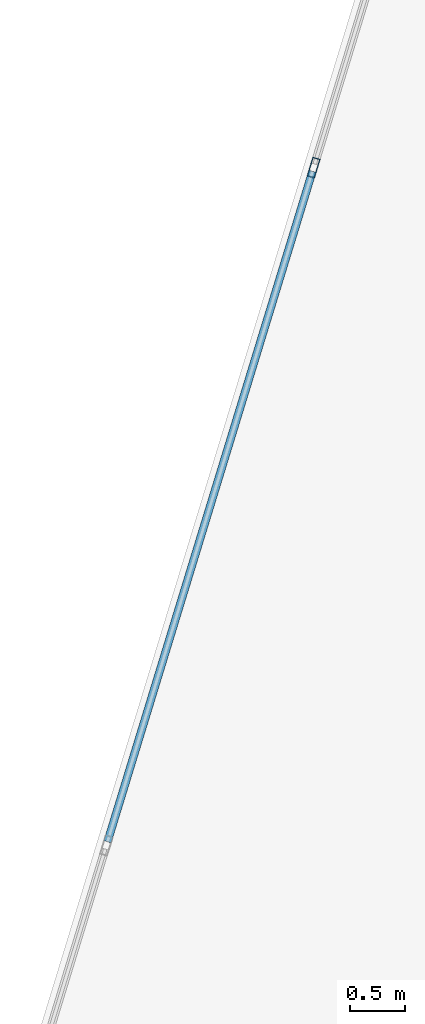
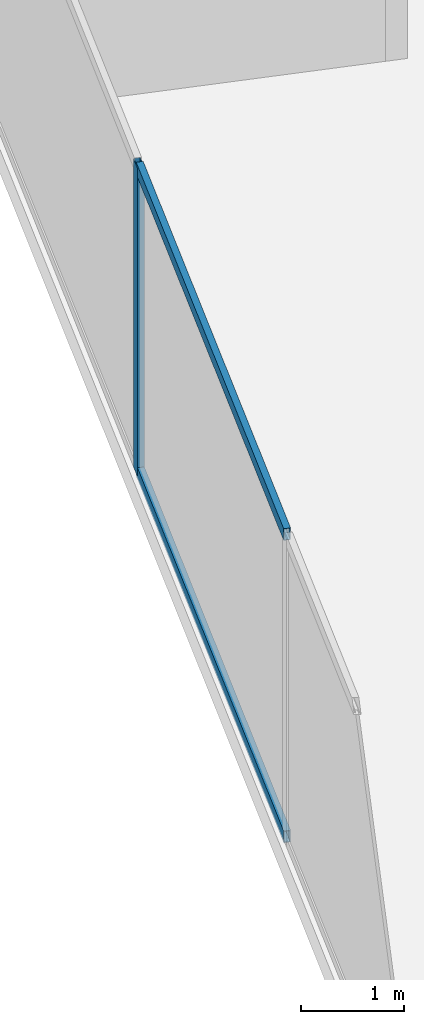
# One storey, part 14 of 26: 3 members, 1 element without a shape of its own.
"""IFC4 building model written with IfcOpenShell, lengths in metres."""

import ifcopenshell
import ifcopenshell.guid

model = None  # the IFC model being written
_history = None  # IfcOwnerHistory: only IFC2X3 demands one
_inside = {}  # id of a spatial element -> (the spatial element, [elements in it])
_under = {}  # id of a project, library or spatial element -> (it, [spatial elements below it])
_declared = {}  # id of a project -> (the project, [libraries it declares])
_typed = {}  # id of a type object -> (the type object, [elements of that type])
_made_of = {}  # id of a material, layer set ... -> (it, [elements and type objects made of it])


def new_model(schema):
    """Start an empty IFC model of exactly this schema.

    Asked for "IFC4X3", IfcOpenShell would pick the latest addendum, in which some entities
    have other attributes; the version numbers below select the first issue.
    IFC2X3 requires an IfcOwnerHistory on every rooted entity: one is made here for all.
    """
    global model, _history
    if schema == "IFC4X3":
        model = ifcopenshell.file(schema_version=(4, 3, 0, 0))
    else:
        model = ifcopenshell.file(schema=schema)
    _inside.clear()
    _under.clear()
    _declared.clear()
    _typed.clear()
    _made_of.clear()
    _history = None
    if model.schema == "IFC2X3":
        org = make("IfcOrganization", Name="unknown")
        user = make(
            "IfcPersonAndOrganization",
            ThePerson=make("IfcPerson", FamilyName="unknown"),
            TheOrganization=org,
        )
        app = make(
            "IfcApplication",
            ApplicationDeveloper=org,
            Version="unknown",
            ApplicationFullName="unknown",
            ApplicationIdentifier="unknown",
        )
        _history = make(
            "IfcOwnerHistory",
            OwningUser=user,
            OwningApplication=app,
            ChangeAction="ADDED",
            CreationDate=0,
        )
    return model


def make(cls, **values):
    """One entity of the class cls with the attributes given. An attribute that is None is left unset."""
    return model.create_entity(
        cls, **{name: value for name, value in values.items() if value is not None}
    )


def rooted(cls, **values):
    """An entity with a GlobalId (a new one), such as an element, a storey or a relation."""
    return make(cls, GlobalId=ifcopenshell.guid.new(), OwnerHistory=_history, **values)


def si_unit(unit_type, name, prefix=None):
    """IfcSIUnit, for example si_unit("LENGTHUNIT", "METRE", prefix="MILLI")."""
    return make("IfcSIUnit", UnitType=unit_type, Prefix=prefix, Name=name)


def assignment(units):
    """IfcUnitAssignment: the units of a project."""
    return None if units is None else make("IfcUnitAssignment", Units=units)


def point(xyz):
    """IfcCartesianPoint."""
    return None if xyz is None else make("IfcCartesianPoint", Coordinates=xyz)


def direction(xyz):
    """IfcDirection."""
    return None if xyz is None else make("IfcDirection", DirectionRatios=xyz)


def frame(location, z_axis=None, x_axis=None):
    """IfcAxis2Placement3D, a coordinate frame: its origin and axes. An axis left out is left unset."""
    return make(
        "IfcAxis2Placement3D",
        Location=point(location),
        Axis=direction(z_axis),
        RefDirection=direction(x_axis),
    )


def frame_2d(location, x_axis=None):
    """IfcAxis2Placement2D, a coordinate frame in the plane: its origin and x axis."""
    return make(
        "IfcAxis2Placement2D", Location=point(location), RefDirection=direction(x_axis)
    )


def origin():
    """The frame at (0, 0, 0) with its axes left unset."""
    return frame((0.0, 0.0, 0.0))


def origin_2d():
    """The frame at (0, 0) in the plane with its x axis left unset."""
    return frame_2d((0.0, 0.0))


def place(relative_to, where):
    """IfcLocalPlacement: puts the frame where relative to a parent placement (None: the world)."""
    return make(
        "IfcLocalPlacement", PlacementRelTo=relative_to, RelativePlacement=where
    )


def context(
    kind, dimensions, precision=None, world=None, true_north=None, identifier=None
):
    """IfcGeometricRepresentationContext, for example the 3D "Model" context."""
    return make(
        "IfcGeometricRepresentationContext",
        ContextIdentifier=identifier,
        ContextType=kind,
        CoordinateSpaceDimension=dimensions,
        Precision=precision,
        WorldCoordinateSystem=world,
        TrueNorth=true_north,
    )


def subcontext(parent, identifier, kind, view, scale=None):
    """IfcGeometricRepresentationSubContext, for example "Body" below "Model"."""
    return make(
        "IfcGeometricRepresentationSubContext",
        ContextIdentifier=identifier,
        ContextType=kind,
        ParentContext=parent,
        TargetScale=scale,
        TargetView=view,
    )


def project(units=None, contexts=None):
    """IfcProject with its units and contexts."""
    return rooted(
        "IfcProject",
        Name="project",
        RepresentationContexts=contexts,
        UnitsInContext=assignment(units),
    )


def spatial(cls, under=None, at=None, **own):
    """A site, building, storey or space (cls), placed at a placement, below another one or the project."""
    s = rooted(cls, ObjectPlacement=at, **own)
    if under is not None:
        _under.setdefault(under.id(), (under, []))[1].append(s)
    return s


def profile(cls, at=None, kind="AREA", **sizes):
    """A parametric profile (cls). Its sizes go by their IFC names, for example OverallWidth=200.0."""
    return make(cls, ProfileType=kind, Position=at, **sizes)


def hollow_rectangle(**sizes):
    """IfcRectangleHollowProfileDef."""
    return profile("IfcRectangleHollowProfileDef", **sizes)


def extrude(swept, where, along, depth):
    """IfcExtrudedAreaSolid: the profile swept, set in the frame where, extruded along a direction by depth."""
    return make(
        "IfcExtrudedAreaSolid",
        SweptArea=swept,
        Position=where,
        ExtrudedDirection=direction(along),
        Depth=depth,
    )


def shape(context_of_items, identifier, shape_type, items):
    """IfcShapeRepresentation: the items that make up one representation, for example the "Body"."""
    return make(
        "IfcShapeRepresentation",
        ContextOfItems=context_of_items,
        RepresentationIdentifier=identifier,
        RepresentationType=shape_type,
        Items=items,
    )


def source(mapping_origin, context_of_items, identifier, shape_type, items):
    """IfcRepresentationMap: a shape defined once, which mapped items show again and again."""
    return make(
        "IfcRepresentationMap",
        MappingOrigin=mapping_origin,
        MappedRepresentation=shape(context_of_items, identifier, shape_type, items),
    )


def transform(
    local_origin,
    x_axis=None,
    y_axis=None,
    z_axis=None,
    scale=None,
    scale2=None,
    scale3=None,
    uniform=True,
):
    """IfcCartesianTransformationOperator3D, or its non-uniform kind. x_axis, y_axis, z_axis: its Axis1, 2, 3."""
    if uniform:
        return make(
            "IfcCartesianTransformationOperator3D",
            Axis1=direction(x_axis),
            Axis2=direction(y_axis),
            LocalOrigin=point(local_origin),
            Scale=scale,
            Axis3=direction(z_axis),
        )
    return make(
        "IfcCartesianTransformationOperator3DnonUniform",
        Axis1=direction(x_axis),
        Axis2=direction(y_axis),
        LocalOrigin=point(local_origin),
        Scale=scale,
        Axis3=direction(z_axis),
        Scale2=scale2,
        Scale3=scale3,
    )


def mapped(mapping_source, mapping_target):
    """IfcMappedItem: shows the shape of a source again, moved by a transform."""
    return make(
        "IfcMappedItem", MappingSource=mapping_source, MappingTarget=mapping_target
    )


def material(Name=None, Category=None):
    """IfcMaterial."""
    return make("IfcMaterial", Name=Name, Category=Category)


def material_profile(
    of_material, cross_section, Name=None, Category=None, Priority=None
):
    """IfcMaterialProfile: a cross section and its material."""
    return make(
        "IfcMaterialProfile",
        Name=Name,
        Material=of_material,
        Profile=cross_section,
        Priority=Priority,
        Category=Category,
    )


def profile_set(profiles, Name=None, composite=None):
    """IfcMaterialProfileSet."""
    return make(
        "IfcMaterialProfileSet",
        Name=Name,
        MaterialProfiles=profiles,
        CompositeProfile=composite,
    )


def made_of(thing, what):
    """Note that an element or type object is made of a material, layer set ...; save() writes the relation."""
    if what is not None:
        _made_of.setdefault(what.id(), (what, []))[1].append(thing)
    return thing


def type_object(cls, material=None, **own):
    """A type object (cls), such as IfcWallType, which elements share."""
    return made_of(rooted(cls, **own), material)


def type_shapes(of_type, sources):
    """Give a type object the sources (RepresentationMaps) that its elements show as mapped items."""
    of_type.RepresentationMaps = sources


def element(
    cls,
    number,
    at=None,
    inside=None,
    cuts=None,
    type_object=None,
    material=None,
    context=None,
    identifier="Body",
    shape_type=None,
    held_by="IfcProductDefinitionShape",
    body=None,
    shapes=None,
    **own,
):
    """One element of the class cls, such as IfcWall. Its Tag is "e" and its number.

    at: its placement. inside: the storey or other place that contains it. cuts: it is an
    opening in that element (IfcRelVoidsElement). A single representation is given by context,
    identifier, shape_type and body (its items); several are given by shapes. held_by: the class
    of the entity that holds the representations. save() writes the other relations.
    """
    e = rooted(cls, Tag="e%d" % number, ObjectPlacement=at, **own)
    if body is not None:
        shapes = [shape(context, identifier, shape_type, body)]
    if shapes is not None:
        e.Representation = make(held_by, Representations=shapes)
    if inside is not None:
        _inside.setdefault(inside.id(), (inside, []))[1].append(e)
    if cuts is not None:
        rooted(
            "IfcRelVoidsElement", RelatingBuildingElement=cuts, RelatedOpeningElement=e
        )
    if type_object is not None:
        _typed.setdefault(type_object.id(), (type_object, []))[1].append(e)
    return made_of(e, material)


def aggregate(whole, parts):
    """IfcRelAggregates: a whole, such as a stair, and the parts it consists of."""
    return rooted("IfcRelAggregates", RelatingObject=whole, RelatedObjects=parts)


def save(model, path):
    """Write the relations noted so far, then the file.

    IfcRelAggregates (storeys below a building ...), IfcRelContainedInSpatialStructure (elements
    in a storey), IfcRelDefinesByType, IfcRelAssociatesMaterial and IfcRelDeclares: one each for
    every whole, place, type object, material and project.
    """
    for whole, parts in _under.values():
        aggregate(whole, parts)
    for where, things in _inside.values():
        rooted(
            "IfcRelContainedInSpatialStructure",
            RelatedElements=things,
            RelatingStructure=where,
        )
    for kind, things in _typed.values():
        rooted("IfcRelDefinesByType", RelatedObjects=things, RelatingType=kind)
    for what, things in _made_of.values():
        rooted("IfcRelAssociatesMaterial", RelatedObjects=things, RelatingMaterial=what)
    for by, libraries in _declared.values():
        rooted("IfcRelDeclares", RelatingContext=by, RelatedDefinitions=libraries)
    model.write(path)


model = new_model("IFC4")

# Units and contexts
model_context = context("Model", 3, precision=1e-05, world=origin(), true_north=direction((0.0, 1.0)))
body_context = subcontext(model_context, "Body", "Model", "MODEL_VIEW")
ifc_project = project(units=[si_unit("LENGTHUNIT", "METRE"), si_unit("AREAUNIT", "SQUARE_METRE"), si_unit("VOLUMEUNIT", "CUBIC_METRE"), si_unit("PLANEANGLEUNIT", "RADIAN"), si_unit("MASSUNIT", "GRAM", prefix="KILO")], contexts=[model_context])

# Site, building, storey
site_placement = place(None, origin())
site = spatial("IfcSite", under=ifc_project, at=site_placement, CompositionType="ELEMENT")
building_placement = place(site_placement, origin())
building = spatial("IfcBuilding", under=site, at=building_placement, Name="Krantzveldt Concourse Tower", CompositionType="ELEMENT")
storey_placement = place(building_placement, frame((0.0, 0.0, 113.75)))
storey = spatial("IfcBuildingStorey", under=building, at=storey_placement, Name="L27", CompositionType="ELEMENT", Elevation=113.75)

# Curtain wall, members
ifc_material = material(Name="Anodised aluminium 6063-T6", Category="aluminium")
curtain_wall_type = type_object("IfcCurtainWallType", Name="CW2", PredefinedType="USERDEFINED", material=ifc_material)
curtain_wall_placement = place(storey_placement, origin())
curtain_wall = element("IfcCurtainWall", 1, at=curtain_wall_placement, inside=storey, type_object=curtain_wall_type, Name="CW-L27-F01", ObjectType="UNITISED CURTAIN WALL", PredefinedType="USERDEFINED")
ifc_material_profile_1 = material_profile(ifc_material, hollow_rectangle(XDim=0.070068359375, YDim=0.179931640625, WallThickness=0.0048828125, at=origin_2d()), Name="Anodised aluminium 6063-T6", Category="aluminium")
ifc_profile_set_1 = profile_set([ifc_material_profile_1], Name="Anodised aluminium 6063-T6 - ALU-MULL 180x70x5")
member_type_1 = type_object("IfcMemberType", Name="CW-MUL-180", PredefinedType="MULLION", material=ifc_profile_set_1)
shared_shape_1 = source(origin(), body_context, "Body", "SweptSolid", [
    extrude(hollow_rectangle(XDim=0.070068359375, YDim=0.179931640625, WallThickness=0.0048828125, at=origin_2d()), origin(), (0.0, 0.0, 1.0), 3.669921875),
])
type_shapes(member_type_1, [shared_shape_1])
member_1_placement = place(storey_placement, frame((17.489990234375, 45.88330078125, 0.0), z_axis=(0.0, 0.0, 1.0), x_axis=(0.956304761423, -0.292371686864, 0.0)))
member_1 = element("IfcMember", 2, at=member_1_placement, type_object=member_type_1, Name="CW-Z12 mullion 2", PredefinedType="MULLION", context=body_context, shape_type="MappedRepresentation", body=[
    mapped(shared_shape_1, transform((0.0, 0.0, 0.0), x_axis=(1.0, 0.0, 0.0), y_axis=(0.0, 1.0, 0.0), z_axis=(0.0, 0.0, 1.0), scale=1.0)),
])
ifc_material_profile_2 = material_profile(ifc_material, hollow_rectangle(XDim=0.070068359375, YDim=0.139892578125, WallThickness=0.0048828125, at=origin_2d()), Name="Anodised aluminium 6063-T6", Category="aluminium")
ifc_profile_set_2 = profile_set([ifc_material_profile_2], Name="Anodised aluminium 6063-T6 - ALU-TRAN 140x70x5")
member_type_2 = type_object("IfcMemberType", Name="CW-TRN-150", PredefinedType="USERDEFINED", material=ifc_profile_set_2)
shared_shape_2 = source(origin(), body_context, "Body", "SweptSolid", [
    extrude(hollow_rectangle(XDim=0.070068359375, YDim=0.139892578125, WallThickness=0.0048828125, at=origin_2d()), origin(), (0.0, 0.0, 1.0), 6.396728515625),
])
type_shapes(member_type_2, [shared_shape_2])
member_2_placement = place(storey_placement, frame((17.479736328125, 45.849853515625, 0.034912109375), z_axis=(-0.292393067434, -0.956298224466, 0.0), x_axis=(0.956298224466, -0.292393067434, 0.0)))
member_2 = element("IfcMember", 3, at=member_2_placement, type_object=member_type_2, Name="CW-Z12 transom 2.1", ObjectType="TRANSOM", PredefinedType="USERDEFINED", context=body_context, shape_type="MappedRepresentation", body=[
    mapped(shared_shape_2, transform((0.0, 0.0, 0.0), x_axis=(1.0, 0.0, 0.0), y_axis=(0.0, 1.0, 0.0), z_axis=(0.0, 0.0, 1.0), scale=1.0)),
])
member_3_placement = place(storey_placement, frame((17.479736328125, 45.849853515625, 3.635009765625), z_axis=(-0.292393067434, -0.956298224466, 0.0), x_axis=(0.956298224466, -0.292393067434, 0.0)))
member_3 = element("IfcMember", 4, at=member_3_placement, type_object=member_type_2, Name="CW-Z12 transom 2.2", ObjectType="TRANSOM", PredefinedType="USERDEFINED", context=body_context, shape_type="MappedRepresentation", body=[
    mapped(shared_shape_2, transform((0.0, 0.0, 0.0), x_axis=(1.0, 0.0, 0.0), y_axis=(0.0, 1.0, 0.0), z_axis=(0.0, 0.0, 1.0), scale=1.0)),
])
aggregate(curtain_wall, [member_1, member_2, member_3])

save(model, "model.ifc")
